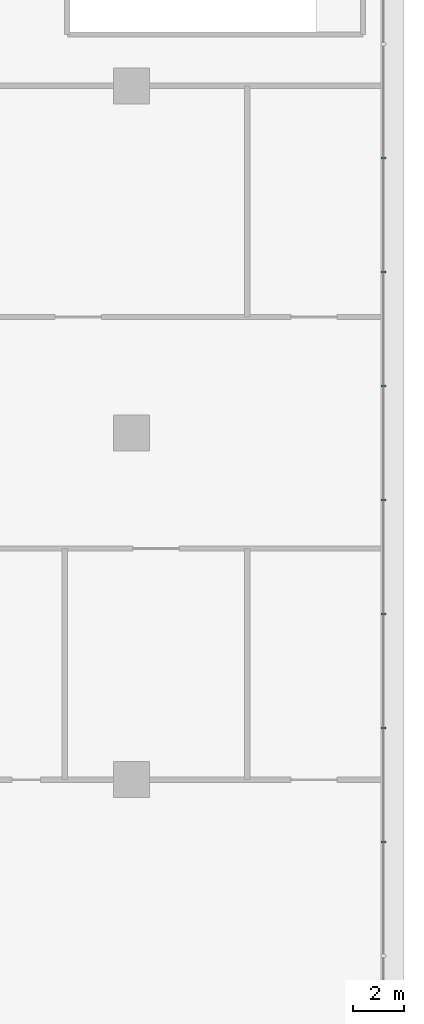
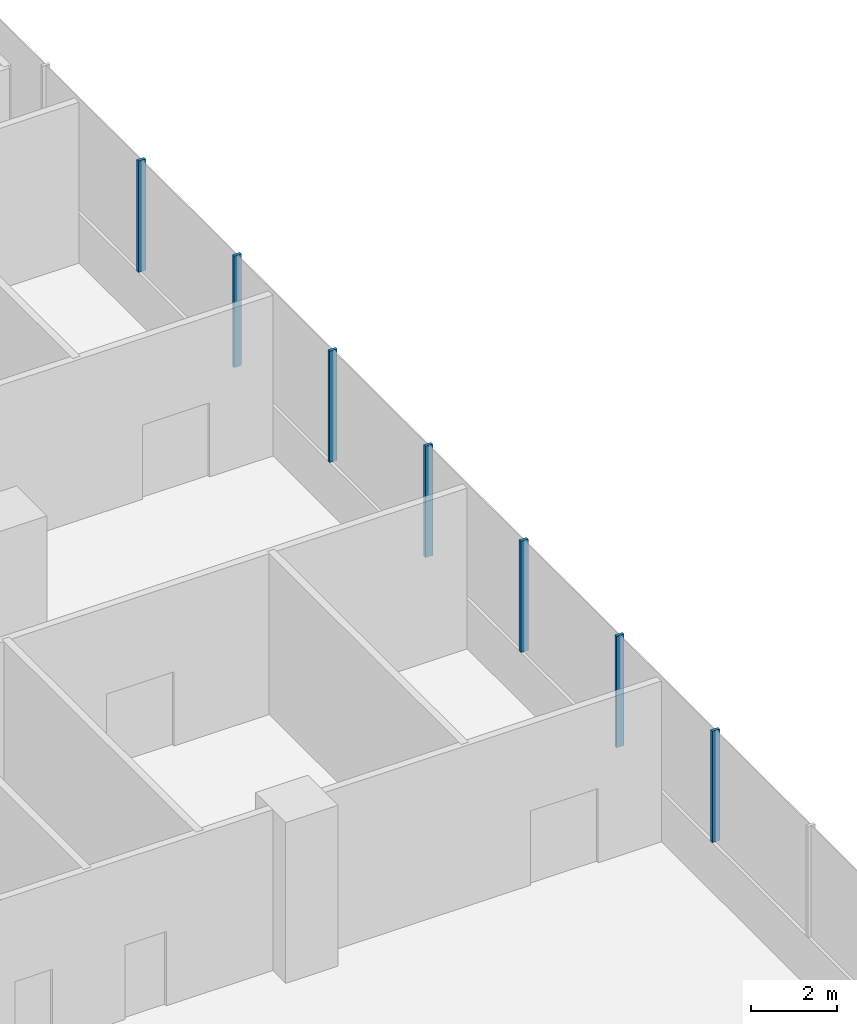
# One storey, part 15 of 38: 7 members, 1 element without a shape of its own.
"""IFC4 building model written with IfcOpenShell, lengths in metres."""

from ifc_helpers import new_model, si_unit, direction, frame, origin, origin_2d, place, context, subcontext, project, spatial, rectangle, extrude, material, layer, layer_set, material_profile, profile_set, type_object, element, aggregate, save


model = new_model("IFC4")

# Units and contexts
model_context = context("Model", 3, precision=1e-05, world=origin(), true_north=direction((0.0, 1.0)))
body_context = subcontext(model_context, "Body", "Model", "MODEL_VIEW")
ifc_project = project(units=[si_unit("LENGTHUNIT", "METRE"), si_unit("AREAUNIT", "SQUARE_METRE"), si_unit("VOLUMEUNIT", "CUBIC_METRE"), si_unit("PLANEANGLEUNIT", "RADIAN"), si_unit("MASSUNIT", "GRAM", prefix="KILO")], contexts=[model_context])

# Site, building, storey
site_placement = place(None, origin())
site = spatial("IfcSite", under=ifc_project, at=site_placement, CompositionType="ELEMENT")
building_placement = place(site_placement, origin())
building = spatial("IfcBuilding", under=site, at=building_placement, Name="Tamarind Cross Interchange Tower", CompositionType="ELEMENT")
storey_placement = place(building_placement, frame((0.0, 0.0, 20.0)))
storey = spatial("IfcBuildingStorey", under=building, at=storey_placement, Name="L03", CompositionType="ELEMENT", Elevation=20.0)

# Curtain wall, members
ifc_material = material(Name="Aluminium 6063-T6", Category="aluminium")
ifc_layer = layer(ifc_material, 0.199951171875)
ifc_layer_set = layer_set([ifc_layer], Name="Aluminium 6063-T6")
curtain_wall_type = type_object("IfcCurtainWallType", Name="Podium shopfront and station curtain wall", PredefinedType="NOTDEFINED", material=ifc_layer_set)
curtain_wall_placement = place(storey_placement, origin())
curtain_wall = element("IfcCurtainWall", 1, at=curtain_wall_placement, inside=storey, type_object=curtain_wall_type, Name="CWS-L03-00", PredefinedType="NOTDEFINED")
ifc_material_profile = material_profile(ifc_material, rectangle(XDim=0.080078125, YDim=0.199951171875, at=origin_2d()), Name="Mullion CW3")
ifc_profile_set = profile_set([ifc_material_profile], Name="Aluminium 6063-T6")
member_type = type_object("IfcMemberType", Name="Mullion CW3", PredefinedType="MULLION", material=ifc_profile_set)
member_1_placement = place(storey_placement, frame((63.800048828125, 11.08349609375, 1.39990234375), z_axis=(0.0, 0.0, 1.0), x_axis=(0.0, 1.0, 0.0)))
member_1 = element("IfcMember", 2, at=member_1_placement, type_object=member_type, Name="CWM-L03-00-14", PredefinedType="MULLION", context=body_context, shape_type="SweptSolid", body=[
    extrude(rectangle(XDim=0.080078125, YDim=0.199951171875, at=origin_2d()), origin(), (0.0, 0.0, 1.0), 3.150146484375),
])
member_2_placement = place(storey_placement, frame((63.800048828125, 15.516845703125, 1.39990234375), z_axis=(0.0, 0.0, 1.0), x_axis=(0.0, 1.0, 0.0)))
member_2 = element("IfcMember", 3, at=member_2_placement, type_object=member_type, Name="CWM-L03-00-15", PredefinedType="MULLION", context=body_context, shape_type="SweptSolid", body=[
    extrude(rectangle(XDim=0.080078125, YDim=0.199951171875, at=origin_2d()), origin(), (0.0, 0.0, 1.0), 3.150146484375),
])
member_3_placement = place(storey_placement, frame((63.800048828125, 19.950439453125, 1.39990234375), z_axis=(0.0, 0.0, 1.0), x_axis=(0.0, 1.0, 0.0)))
member_3 = element("IfcMember", 4, at=member_3_placement, type_object=member_type, Name="CWM-L03-00-16", PredefinedType="MULLION", context=body_context, shape_type="SweptSolid", body=[
    extrude(rectangle(XDim=0.080078125, YDim=0.199951171875, at=origin_2d()), origin(), (0.0, 0.0, 1.0), 3.150146484375),
])
member_4_placement = place(storey_placement, frame((63.800048828125, 24.3837890625, 1.39990234375), z_axis=(0.0, 0.0, 1.0), x_axis=(0.0, 1.0, 0.0)))
member_4 = element("IfcMember", 5, at=member_4_placement, type_object=member_type, Name="CWM-L03-00-17", PredefinedType="MULLION", context=body_context, shape_type="SweptSolid", body=[
    extrude(rectangle(XDim=0.080078125, YDim=0.199951171875, at=origin_2d()), origin(), (0.0, 0.0, 1.0), 3.150146484375),
])
member_5_placement = place(storey_placement, frame((63.800048828125, 28.817138671875, 1.39990234375), z_axis=(0.0, 0.0, 1.0), x_axis=(0.0, 1.0, 0.0)))
member_5 = element("IfcMember", 6, at=member_5_placement, type_object=member_type, Name="CWM-L03-00-18", PredefinedType="MULLION", context=body_context, shape_type="SweptSolid", body=[
    extrude(rectangle(XDim=0.080078125, YDim=0.199951171875, at=origin_2d()), origin(), (0.0, 0.0, 1.0), 3.150146484375),
])
member_6_placement = place(storey_placement, frame((63.800048828125, 33.25048828125, 1.39990234375), z_axis=(0.0, 0.0, 1.0), x_axis=(0.0, 1.0, 0.0)))
member_6 = element("IfcMember", 7, at=member_6_placement, type_object=member_type, Name="CWM-L03-00-19", PredefinedType="MULLION", context=body_context, shape_type="SweptSolid", body=[
    extrude(rectangle(XDim=0.080078125, YDim=0.199951171875, at=origin_2d()), origin(), (0.0, 0.0, 1.0), 3.150146484375),
])
member_7_placement = place(storey_placement, frame((63.800048828125, 37.68408203125, 1.39990234375), z_axis=(0.0, 0.0, 1.0), x_axis=(0.0, 1.0, 0.0)))
member_7 = element("IfcMember", 8, at=member_7_placement, type_object=member_type, Name="CWM-L03-00-20", PredefinedType="MULLION", context=body_context, shape_type="SweptSolid", body=[
    extrude(rectangle(XDim=0.080078125, YDim=0.199951171875, at=origin_2d()), origin(), (0.0, 0.0, 1.0), 3.150146484375),
])
aggregate(curtain_wall, [member_1, member_2, member_3, member_4, member_5, member_6, member_7])

save(model, "model.ifc")
